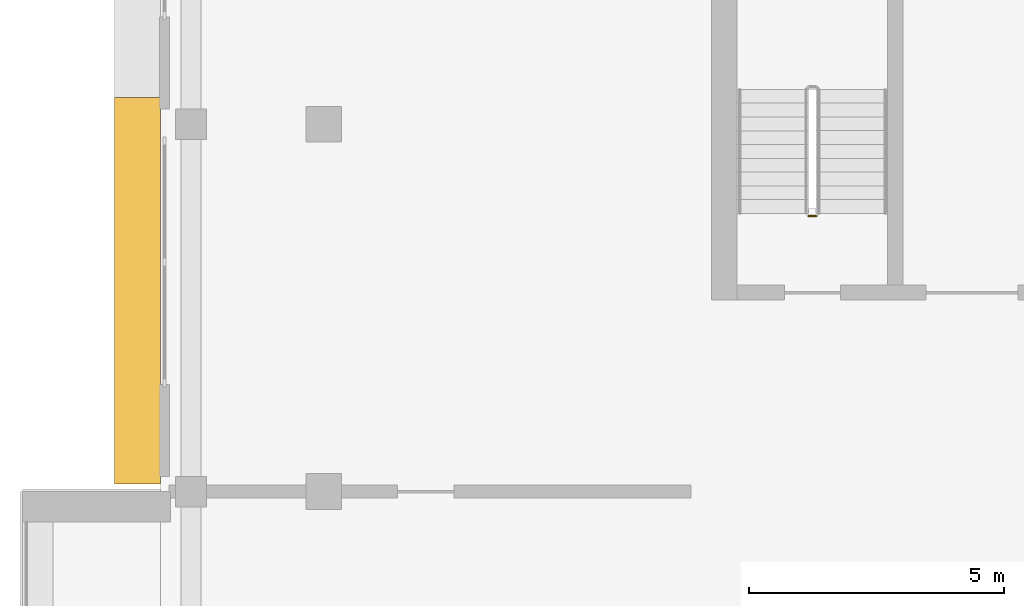
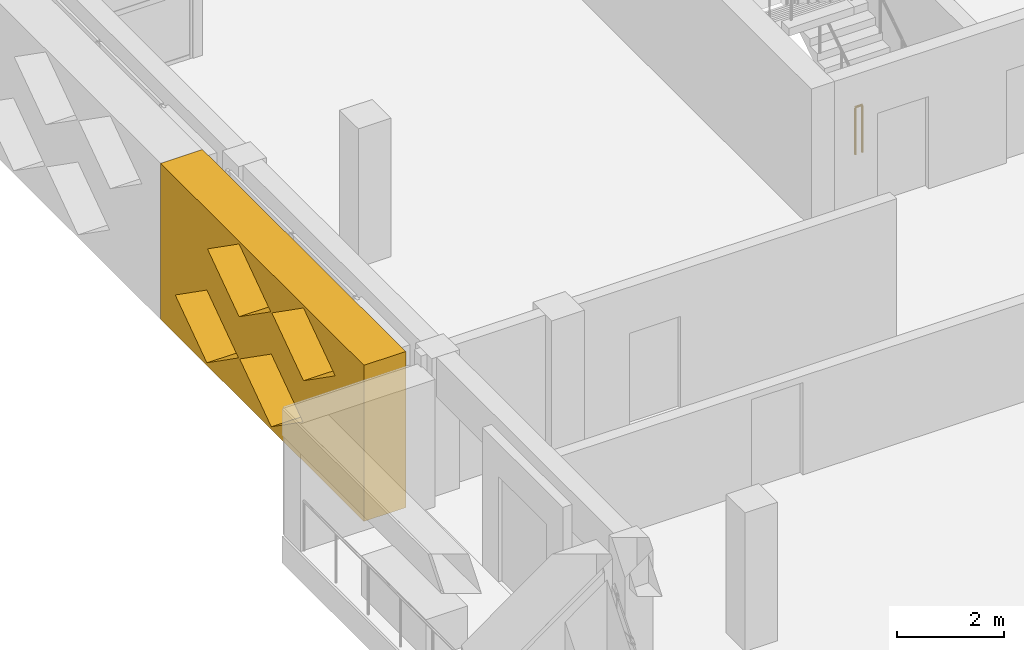
# One storey, part 17 of 22: 1 covering, 1 railing.
"""IFC4 building model written with IfcOpenShell, lengths in metres."""

import ifcopenshell
import ifcopenshell.guid

model = None  # the IFC model being written
_history = None  # IfcOwnerHistory: only IFC2X3 demands one
_inside = {}  # id of a spatial element -> (the spatial element, [elements in it])
_under = {}  # id of a project, library or spatial element -> (it, [spatial elements below it])
_declared = {}  # id of a project -> (the project, [libraries it declares])
_typed = {}  # id of a type object -> (the type object, [elements of that type])
_made_of = {}  # id of a material, layer set ... -> (it, [elements and type objects made of it])


def new_model(schema):
    """Start an empty IFC model of exactly this schema.

    Asked for "IFC4X3", IfcOpenShell would pick the latest addendum, in which some entities
    have other attributes; the version numbers below select the first issue.
    IFC2X3 requires an IfcOwnerHistory on every rooted entity: one is made here for all.
    """
    global model, _history
    if schema == "IFC4X3":
        model = ifcopenshell.file(schema_version=(4, 3, 0, 0))
    else:
        model = ifcopenshell.file(schema=schema)
    _inside.clear()
    _under.clear()
    _declared.clear()
    _typed.clear()
    _made_of.clear()
    _history = None
    if model.schema == "IFC2X3":
        org = make("IfcOrganization", Name="unknown")
        user = make(
            "IfcPersonAndOrganization",
            ThePerson=make("IfcPerson", FamilyName="unknown"),
            TheOrganization=org,
        )
        app = make(
            "IfcApplication",
            ApplicationDeveloper=org,
            Version="unknown",
            ApplicationFullName="unknown",
            ApplicationIdentifier="unknown",
        )
        _history = make(
            "IfcOwnerHistory",
            OwningUser=user,
            OwningApplication=app,
            ChangeAction="ADDED",
            CreationDate=0,
        )
    return model


def make(cls, **values):
    """One entity of the class cls with the attributes given. An attribute that is None is left unset."""
    return model.create_entity(
        cls, **{name: value for name, value in values.items() if value is not None}
    )


def rooted(cls, **values):
    """An entity with a GlobalId (a new one), such as an element, a storey or a relation."""
    return make(cls, GlobalId=ifcopenshell.guid.new(), OwnerHistory=_history, **values)


def si_unit(unit_type, name, prefix=None):
    """IfcSIUnit, for example si_unit("LENGTHUNIT", "METRE", prefix="MILLI")."""
    return make("IfcSIUnit", UnitType=unit_type, Prefix=prefix, Name=name)


def assignment(units):
    """IfcUnitAssignment: the units of a project."""
    return None if units is None else make("IfcUnitAssignment", Units=units)


def point(xyz):
    """IfcCartesianPoint."""
    return None if xyz is None else make("IfcCartesianPoint", Coordinates=xyz)


def direction(xyz):
    """IfcDirection."""
    return None if xyz is None else make("IfcDirection", DirectionRatios=xyz)


def frame(location, z_axis=None, x_axis=None):
    """IfcAxis2Placement3D, a coordinate frame: its origin and axes. An axis left out is left unset."""
    return make(
        "IfcAxis2Placement3D",
        Location=point(location),
        Axis=direction(z_axis),
        RefDirection=direction(x_axis),
    )


def frame_2d(location, x_axis=None):
    """IfcAxis2Placement2D, a coordinate frame in the plane: its origin and x axis."""
    return make(
        "IfcAxis2Placement2D", Location=point(location), RefDirection=direction(x_axis)
    )


def origin():
    """The frame at (0, 0, 0) with its axes left unset."""
    return frame((0.0, 0.0, 0.0))


def origin_2d():
    """The frame at (0, 0) in the plane with its x axis left unset."""
    return frame_2d((0.0, 0.0))


def place(relative_to, where):
    """IfcLocalPlacement: puts the frame where relative to a parent placement (None: the world)."""
    return make(
        "IfcLocalPlacement", PlacementRelTo=relative_to, RelativePlacement=where
    )


def context(
    kind, dimensions, precision=None, world=None, true_north=None, identifier=None
):
    """IfcGeometricRepresentationContext, for example the 3D "Model" context."""
    return make(
        "IfcGeometricRepresentationContext",
        ContextIdentifier=identifier,
        ContextType=kind,
        CoordinateSpaceDimension=dimensions,
        Precision=precision,
        WorldCoordinateSystem=world,
        TrueNorth=true_north,
    )


def subcontext(parent, identifier, kind, view, scale=None):
    """IfcGeometricRepresentationSubContext, for example "Body" below "Model"."""
    return make(
        "IfcGeometricRepresentationSubContext",
        ContextIdentifier=identifier,
        ContextType=kind,
        ParentContext=parent,
        TargetScale=scale,
        TargetView=view,
    )


def project(units=None, contexts=None):
    """IfcProject with its units and contexts."""
    return rooted(
        "IfcProject",
        Name="project",
        RepresentationContexts=contexts,
        UnitsInContext=assignment(units),
    )


def spatial(cls, under=None, at=None, **own):
    """A site, building, storey or space (cls), placed at a placement, below another one or the project."""
    s = rooted(cls, ObjectPlacement=at, **own)
    if under is not None:
        _under.setdefault(under.id(), (under, []))[1].append(s)
    return s


def polyline(points):
    """IfcPolyline through the points."""
    return make("IfcPolyline", Points=[point(p) for p in points])


def profile(cls, at=None, kind="AREA", **sizes):
    """A parametric profile (cls). Its sizes go by their IFC names, for example OverallWidth=200.0."""
    return make(cls, ProfileType=kind, Position=at, **sizes)


def circle(**sizes):
    """IfcCircleProfileDef."""
    return profile("IfcCircleProfileDef", **sizes)


def outline(outer, holes=None, kind="AREA"):
    """IfcArbitraryClosedProfileDef: a profile drawn as a closed curve; with holes, ...WithVoids."""
    if holes is None:
        return make("IfcArbitraryClosedProfileDef", ProfileType=kind, OuterCurve=outer)
    return make(
        "IfcArbitraryProfileDefWithVoids",
        ProfileType=kind,
        OuterCurve=outer,
        InnerCurves=holes,
    )


def extrude(swept, where, along, depth):
    """IfcExtrudedAreaSolid: the profile swept, set in the frame where, extruded along a direction by depth."""
    return make(
        "IfcExtrudedAreaSolid",
        SweptArea=swept,
        Position=where,
        ExtrudedDirection=direction(along),
        Depth=depth,
    )


def shape(context_of_items, identifier, shape_type, items):
    """IfcShapeRepresentation: the items that make up one representation, for example the "Body"."""
    return make(
        "IfcShapeRepresentation",
        ContextOfItems=context_of_items,
        RepresentationIdentifier=identifier,
        RepresentationType=shape_type,
        Items=items,
    )


def material(Name=None, Category=None):
    """IfcMaterial."""
    return make("IfcMaterial", Name=Name, Category=Category)


def made_of(thing, what):
    """Note that an element or type object is made of a material, layer set ...; save() writes the relation."""
    if what is not None:
        _made_of.setdefault(what.id(), (what, []))[1].append(thing)
    return thing


def type_object(cls, material=None, **own):
    """A type object (cls), such as IfcWallType, which elements share."""
    return made_of(rooted(cls, **own), material)


def element(
    cls,
    number,
    at=None,
    inside=None,
    cuts=None,
    type_object=None,
    material=None,
    context=None,
    identifier="Body",
    shape_type=None,
    held_by="IfcProductDefinitionShape",
    body=None,
    shapes=None,
    **own,
):
    """One element of the class cls, such as IfcWall. Its Tag is "e" and its number.

    at: its placement. inside: the storey or other place that contains it. cuts: it is an
    opening in that element (IfcRelVoidsElement). A single representation is given by context,
    identifier, shape_type and body (its items); several are given by shapes. held_by: the class
    of the entity that holds the representations. save() writes the other relations.
    """
    e = rooted(cls, Tag="e%d" % number, ObjectPlacement=at, **own)
    if body is not None:
        shapes = [shape(context, identifier, shape_type, body)]
    if shapes is not None:
        e.Representation = make(held_by, Representations=shapes)
    if inside is not None:
        _inside.setdefault(inside.id(), (inside, []))[1].append(e)
    if cuts is not None:
        rooted(
            "IfcRelVoidsElement", RelatingBuildingElement=cuts, RelatedOpeningElement=e
        )
    if type_object is not None:
        _typed.setdefault(type_object.id(), (type_object, []))[1].append(e)
    return made_of(e, material)


def aggregate(whole, parts):
    """IfcRelAggregates: a whole, such as a stair, and the parts it consists of."""
    return rooted("IfcRelAggregates", RelatingObject=whole, RelatedObjects=parts)


def save(model, path):
    """Write the relations noted so far, then the file.

    IfcRelAggregates (storeys below a building ...), IfcRelContainedInSpatialStructure (elements
    in a storey), IfcRelDefinesByType, IfcRelAssociatesMaterial and IfcRelDeclares: one each for
    every whole, place, type object, material and project.
    """
    for whole, parts in _under.values():
        aggregate(whole, parts)
    for where, things in _inside.values():
        rooted(
            "IfcRelContainedInSpatialStructure",
            RelatedElements=things,
            RelatingStructure=where,
        )
    for kind, things in _typed.values():
        rooted("IfcRelDefinesByType", RelatedObjects=things, RelatingType=kind)
    for what, things in _made_of.values():
        rooted("IfcRelAssociatesMaterial", RelatedObjects=things, RelatingMaterial=what)
    for by, libraries in _declared.values():
        rooted("IfcRelDeclares", RelatingContext=by, RelatedDefinitions=libraries)
    model.write(path)


model = new_model("IFC4")

# Units and contexts
model_context = context("Model", 3, precision=1e-05, world=origin(), true_north=direction((0.0, 1.0)))
body_context = subcontext(model_context, "Body", "Model", "MODEL_VIEW")
ifc_project = project(units=[si_unit("LENGTHUNIT", "METRE"), si_unit("AREAUNIT", "SQUARE_METRE"), si_unit("VOLUMEUNIT", "CUBIC_METRE"), si_unit("PLANEANGLEUNIT", "RADIAN"), si_unit("MASSUNIT", "GRAM", prefix="KILO")], contexts=[model_context])

# Site, building, storey
site_placement = place(None, origin())
site = spatial("IfcSite", under=ifc_project, at=site_placement, CompositionType="ELEMENT")
building_placement = place(site_placement, origin())
building = spatial("IfcBuilding", under=site, at=building_placement, Name="Saffron Iwan Residences", CompositionType="ELEMENT")
storey_placement = place(building_placement, frame((0.0, 0.0, 271.0)))
storey = spatial("IfcBuildingStorey", under=building, at=storey_placement, Name="L73", CompositionType="ELEMENT", Elevation=271.0)

# Covering
ifc_material_1 = material(Name="Precast concrete C40/50", Category="concrete")
covering_type = type_object("IfcCoveringType", Name="OUTER SKIN LATTICE SCREEN", PredefinedType="CLADDING", material=ifc_material_1)
covering_placement = place(storey_placement, frame((18.39990234375, 70.125, -0.40087890625), z_axis=(-1.0, 0.0, 0.0), x_axis=(0.0, -1.0, 0.0)))
element("IfcCovering", 1, at=covering_placement, inside=storey, type_object=covering_type, Name="OUTER SKIN lattice screen L73 F8.1", PredefinedType="CLADDING", context=body_context, shape_type="SweptSolid", body=[
    extrude(outline(polyline([(0.0, 0.0), (7.574951171875, 0.0), (7.574951171875, 3.551025390625), (0.0, 3.551025390625), (0.0, 0.0)]), holes=[polyline([(0.544921875, 0.8876953125), (1.72509765625, 0.06005859375), (2.905029296875, 0.8876953125), (1.72509765625, 1.715576171875), (0.544921875, 0.8876953125)]), polyline([(2.945068359375, 0.8876953125), (4.125, 0.06005859375), (5.304931640625, 0.8876953125), (4.125, 1.715576171875), (2.945068359375, 0.8876953125)]), polyline([(1.7451171875, 2.663330078125), (2.925048828125, 1.83544921875), (4.10498046875, 2.663330078125), (2.925048828125, 3.490966796875), (1.7451171875, 2.663330078125)]), polyline([(4.14501953125, 2.663330078125), (5.324951171875, 1.83544921875), (6.5048828125, 2.663330078125), (5.324951171875, 3.490966796875), (4.14501953125, 2.663330078125)])]), origin(), (0.0, 0.0, 1.0), 0.89990234375),
])

# Railing
ifc_material_2 = material(Name="Steel S355", Category="steel")
railing_type = type_object("IfcRailingType", Name="Stair guard 1100", PredefinedType="GUARDRAIL", material=ifc_material_2)
railing_placement = place(storey_placement, frame((31.25, 67.800048828125, 0.0)))
element("IfcRailing", 2, at=railing_placement, inside=storey, type_object=railing_type, Name="L73 ST-W stair guard 2", PredefinedType="GUARDRAIL", context=body_context, shape_type="SweptSolid", body=[
    extrude(circle(Radius=0.02392578125, at=origin_2d()), frame((0.0, 0.0, 1.076171875), z_axis=(-1.0, 0.0, 0.0), x_axis=(0.0, -1.0, 0.0)), (0.0, 0.0, 1.0), 0.14990234375),
    extrude(circle(Radius=0.02099609375, at=origin_2d()), origin(), (0.0, 0.0, 1.0), 1.052001953125),
    extrude(circle(Radius=0.02099609375, at=origin_2d()), frame((-0.14990234375, 0.0, 0.0)), (0.0, 0.0, 1.0), 1.052001953125),
])

save(model, "model.ifc")
